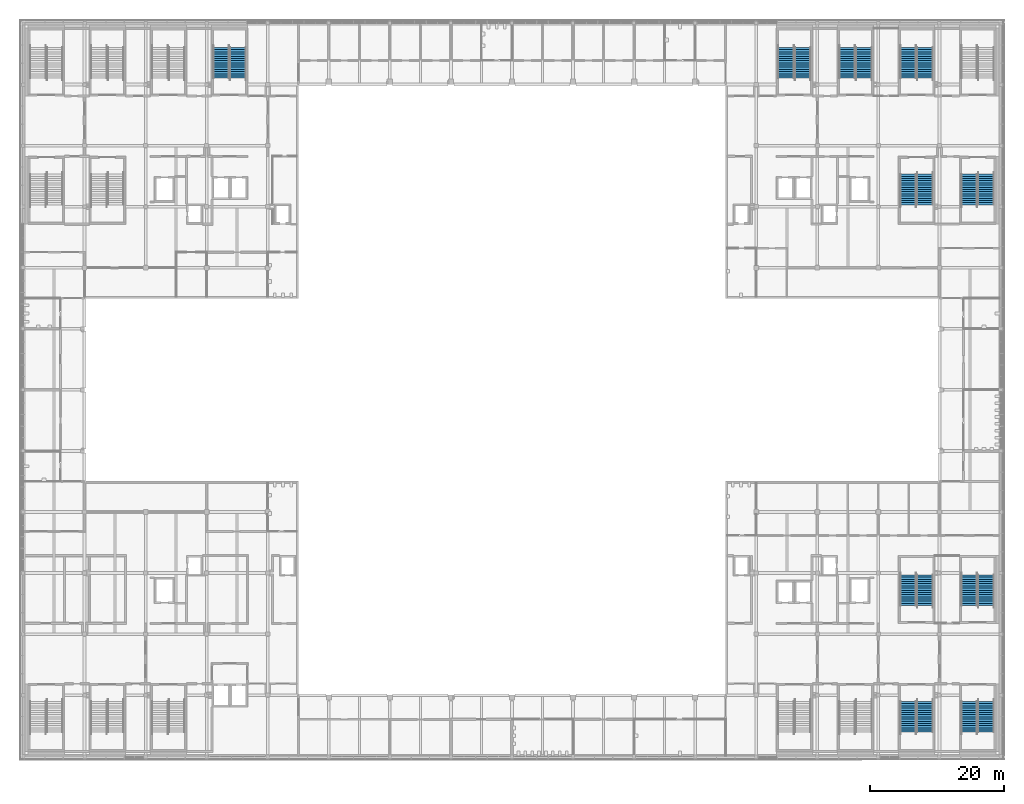
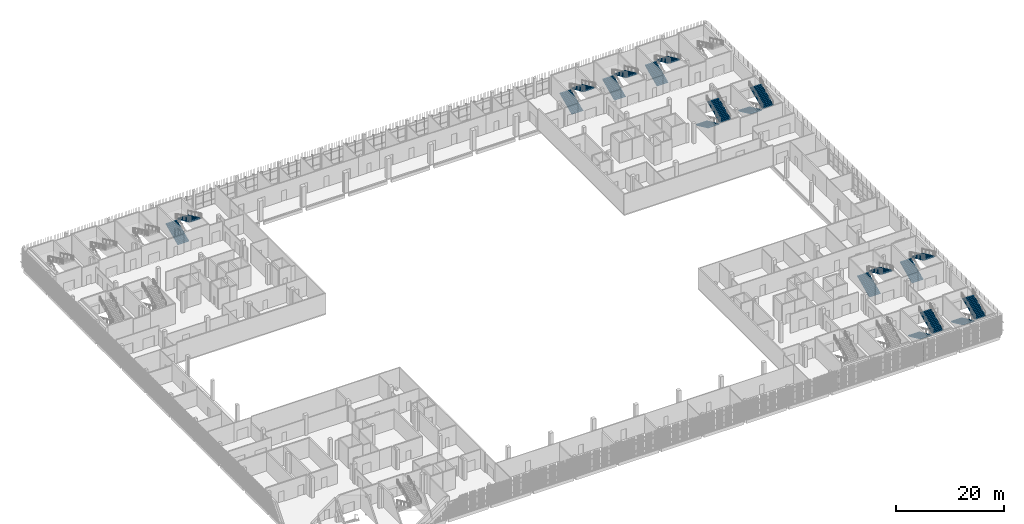
# One storey, part 84 of 124: 20 stair flights, 10 elements without a shape of their own.
"""IFC4 building model written with IfcOpenShell, lengths in metres."""

from ifc_helpers import new_model, si_unit, direction, frame, origin, place, context, subcontext, project, spatial, polyline, outline, extrude, material, type_object, element, aggregate, save


model = new_model("IFC4")

# Units and contexts
model_context = context("Model", 3, precision=1e-05, world=origin(), true_north=direction((0.0, 1.0)))
body_context = subcontext(model_context, "Body", "Model", "MODEL_VIEW")
ifc_project = project(units=[si_unit("LENGTHUNIT", "METRE"), si_unit("AREAUNIT", "SQUARE_METRE"), si_unit("VOLUMEUNIT", "CUBIC_METRE"), si_unit("PLANEANGLEUNIT", "RADIAN"), si_unit("MASSUNIT", "GRAM", prefix="KILO")], contexts=[model_context])

# Site, building, storey
site_placement = place(None, origin())
site = spatial("IfcSite", under=ifc_project, at=site_placement, CompositionType="ELEMENT")
building_placement = place(site_placement, origin())
building = spatial("IfcBuilding", under=site, at=building_placement, Name="Shirokan Park Arena", CompositionType="ELEMENT")
storey_placement = place(building_placement, frame((0.0, 0.0, 20.02001953125)))
storey = spatial("IfcBuildingStorey", under=building, at=storey_placement, Name="L04", CompositionType="ELEMENT", Elevation=20.02001953125)

# Stair, stair flights
ifc_material = material(Name="Concrete C30 precast", Category="concrete")
stair_type = type_object("IfcStairType", Name="Stair 30 risers 152 x 327 2400 wide", PredefinedType="TWO_STRAIGHT_RUN_STAIR", material=ifc_material)
stair_1_placement = place(storey_placement, origin())
stair_1 = element("IfcStair", 1, at=stair_1_placement, inside=storey, type_object=stair_type, Name="Exit Stair 2.A L04 to L05", PredefinedType="TWO_STRAIGHT_RUN_STAIR")
stair_flight_type = type_object("IfcStairFlightType", Name="Stair flight 15 risers 152 x 327 2400 wide", PredefinedType="STRAIGHT", material=ifc_material)
stair_flight_1_placement = place(storey_placement, frame((140.949951171875, 8.14990234375, 0.0), z_axis=(0.0, 0.0, 1.0), x_axis=(0.0, -1.0, 0.0)))
stair_flight_1 = element("IfcStairFlight", 2, at=stair_flight_1_placement, type_object=stair_flight_type, Name="ST04.5 flight 1", NumberOfRisers=15, NumberOfTreads=14, PredefinedType="STRAIGHT", RiserHeight=0.151666667, TreadLength=0.3267, context=body_context, shape_type="SweptSolid", body=[
    extrude(outline(polyline([(0.0, 0.0), (0.0, 0.151611328125), (0.32666015625, 0.151611328125), (0.32666015625, 0.30322265625), (0.6533203125, 0.30322265625), (0.6533203125, 0.455078125), (0.97998046875, 0.455078125), (0.97998046875, 0.606689453125), (1.306884765625, 0.606689453125), (1.306884765625, 0.75830078125), (1.633544921875, 0.75830078125), (1.633544921875, 0.909912109375), (1.960205078125, 0.909912109375), (1.960205078125, 1.061767578125), (2.286865234375, 1.061767578125), (2.286865234375, 1.21337890625), (2.613525390625, 1.21337890625), (2.613525390625, 1.364990234375), (2.940185546875, 1.364990234375), (2.940185546875, 1.5166015625), (3.26708984375, 1.5166015625), (3.26708984375, 1.668212890625), (3.59375, 1.668212890625), (3.59375, 1.820068359375), (3.92041015625, 1.820068359375), (3.92041015625, 1.9716796875), (4.2470703125, 1.9716796875), (4.2470703125, 2.123291015625), (4.57373046875, 2.123291015625), (4.57373046875, 2.27490234375), (4.57373046875, 1.9580078125), (0.35595703125, 0.0), (0.0, 0.0)])), frame((0.0, 1.199951171875, 0.0), z_axis=(0.0, -1.0, 0.0), x_axis=(1.0, 0.0, 0.0)), (0.0, 0.0, 1.0), 2.39990234375),
])
stair_flight_2_placement = place(storey_placement, frame((143.449951171875, 3.576171875, 2.27490234375), z_axis=(0.0, 0.0, 1.0), x_axis=(0.0, 1.0, 0.0)))
stair_flight_2 = element("IfcStairFlight", 3, at=stair_flight_2_placement, type_object=stair_flight_type, Name="ST04.5 flight 2", NumberOfRisers=15, NumberOfTreads=14, PredefinedType="STRAIGHT", RiserHeight=0.151666667, TreadLength=0.3267, context=body_context, shape_type="SweptSolid", body=[
    extrude(outline(polyline([(0.0, 0.0), (0.0, 0.151611328125), (0.32666015625, 0.151611328125), (0.32666015625, 0.30322265625), (0.6533203125, 0.30322265625), (0.6533203125, 0.455078125), (0.97998046875, 0.455078125), (0.97998046875, 0.606689453125), (1.306884765625, 0.606689453125), (1.306884765625, 0.75830078125), (1.633544921875, 0.75830078125), (1.633544921875, 0.909912109375), (1.960205078125, 0.909912109375), (1.960205078125, 1.061767578125), (2.286865234375, 1.061767578125), (2.286865234375, 1.21337890625), (2.613525390625, 1.21337890625), (2.613525390625, 1.364990234375), (2.940185546875, 1.364990234375), (2.940185546875, 1.5166015625), (3.26708984375, 1.5166015625), (3.26708984375, 1.668212890625), (3.59375, 1.668212890625), (3.59375, 1.820068359375), (3.92041015625, 1.820068359375), (3.92041015625, 1.9716796875), (4.2470703125, 1.9716796875), (4.2470703125, 2.123291015625), (4.57373046875, 2.123291015625), (4.57373046875, 2.27490234375), (4.57373046875, 1.9580078125), (0.35595703125, 0.0), (0.0, 0.0)])), frame((0.0, 1.199951171875, 0.0), z_axis=(0.0, -1.0, 0.0), x_axis=(1.0, 0.0, 0.0)), (0.0, 0.0, 1.0), 2.39990234375),
])
aggregate(stair_1, [stair_flight_1, stair_flight_2])

stair_2_placement = place(storey_placement, origin())
stair_2 = element("IfcStair", 4, at=stair_2_placement, inside=storey, type_object=stair_type, Name="Exit Stair 2.B L04 to L05", PredefinedType="TWO_STRAIGHT_RUN_STAIR")
stair_flight_3_placement = place(storey_placement, frame((131.85009765625, 8.14990234375, 0.0), z_axis=(0.0, 0.0, 1.0), x_axis=(0.0, -1.0, 0.0)))
stair_flight_3 = element("IfcStairFlight", 5, at=stair_flight_3_placement, type_object=stair_flight_type, Name="ST05.5 flight 1", NumberOfRisers=15, NumberOfTreads=14, PredefinedType="STRAIGHT", RiserHeight=0.151666667, TreadLength=0.3267, context=body_context, shape_type="SweptSolid", body=[
    extrude(outline(polyline([(0.0, 0.0), (0.0, 0.151611328125), (0.32666015625, 0.151611328125), (0.32666015625, 0.30322265625), (0.6533203125, 0.30322265625), (0.6533203125, 0.455078125), (0.97998046875, 0.455078125), (0.97998046875, 0.606689453125), (1.306884765625, 0.606689453125), (1.306884765625, 0.75830078125), (1.633544921875, 0.75830078125), (1.633544921875, 0.909912109375), (1.960205078125, 0.909912109375), (1.960205078125, 1.061767578125), (2.286865234375, 1.061767578125), (2.286865234375, 1.21337890625), (2.613525390625, 1.21337890625), (2.613525390625, 1.364990234375), (2.940185546875, 1.364990234375), (2.940185546875, 1.5166015625), (3.26708984375, 1.5166015625), (3.26708984375, 1.668212890625), (3.59375, 1.668212890625), (3.59375, 1.820068359375), (3.92041015625, 1.820068359375), (3.92041015625, 1.9716796875), (4.2470703125, 1.9716796875), (4.2470703125, 2.123291015625), (4.57373046875, 2.123291015625), (4.57373046875, 2.27490234375), (4.57373046875, 1.9580078125), (0.35595703125, 0.0), (0.0, 0.0)])), frame((0.0, 1.199951171875, 0.0), z_axis=(0.0, -1.0, 0.0), x_axis=(1.0, 0.0, 0.0)), (0.0, 0.0, 1.0), 2.39990234375),
])
stair_flight_4_placement = place(storey_placement, frame((134.35009765625, 3.576171875, 2.27490234375), z_axis=(0.0, 0.0, 1.0), x_axis=(0.0, 1.0, 0.0)))
stair_flight_4 = element("IfcStairFlight", 6, at=stair_flight_4_placement, type_object=stair_flight_type, Name="ST05.5 flight 2", NumberOfRisers=15, NumberOfTreads=14, PredefinedType="STRAIGHT", RiserHeight=0.151666667, TreadLength=0.3267, context=body_context, shape_type="SweptSolid", body=[
    extrude(outline(polyline([(0.0, 0.0), (0.0, 0.151611328125), (0.32666015625, 0.151611328125), (0.32666015625, 0.30322265625), (0.6533203125, 0.30322265625), (0.6533203125, 0.455078125), (0.97998046875, 0.455078125), (0.97998046875, 0.606689453125), (1.306884765625, 0.606689453125), (1.306884765625, 0.75830078125), (1.633544921875, 0.75830078125), (1.633544921875, 0.909912109375), (1.960205078125, 0.909912109375), (1.960205078125, 1.061767578125), (2.286865234375, 1.061767578125), (2.286865234375, 1.21337890625), (2.613525390625, 1.21337890625), (2.613525390625, 1.364990234375), (2.940185546875, 1.364990234375), (2.940185546875, 1.5166015625), (3.26708984375, 1.5166015625), (3.26708984375, 1.668212890625), (3.59375, 1.668212890625), (3.59375, 1.820068359375), (3.92041015625, 1.820068359375), (3.92041015625, 1.9716796875), (4.2470703125, 1.9716796875), (4.2470703125, 2.123291015625), (4.57373046875, 2.123291015625), (4.57373046875, 2.27490234375), (4.57373046875, 1.9580078125), (0.35595703125, 0.0), (0.0, 0.0)])), frame((0.0, 1.199951171875, 0.0), z_axis=(0.0, -1.0, 0.0), x_axis=(1.0, 0.0, 0.0)), (0.0, 0.0, 1.0), 2.39990234375),
])
aggregate(stair_2, [stair_flight_3, stair_flight_4])

stair_3_placement = place(storey_placement, origin())
stair_3 = element("IfcStair", 7, at=stair_3_placement, inside=storey, type_object=stair_type, Name="Exit Stair 2.E L04 to L05", PredefinedType="TWO_STRAIGHT_RUN_STAIR")
stair_flight_5_placement = place(storey_placement, frame((140.949951171875, 22.449951171875, 0.0), z_axis=(0.0, 0.0, 1.0), x_axis=(0.0, 1.0, 0.0)))
stair_flight_5 = element("IfcStairFlight", 8, at=stair_flight_5_placement, type_object=stair_flight_type, Name="ST08.5 flight 1", NumberOfRisers=15, NumberOfTreads=14, PredefinedType="STRAIGHT", RiserHeight=0.151666667, TreadLength=0.3267, context=body_context, shape_type="SweptSolid", body=[
    extrude(outline(polyline([(0.0, 0.0), (0.0, 0.151611328125), (0.32666015625, 0.151611328125), (0.32666015625, 0.30322265625), (0.6533203125, 0.30322265625), (0.6533203125, 0.455078125), (0.97998046875, 0.455078125), (0.97998046875, 0.606689453125), (1.306884765625, 0.606689453125), (1.306884765625, 0.75830078125), (1.633544921875, 0.75830078125), (1.633544921875, 0.909912109375), (1.960205078125, 0.909912109375), (1.960205078125, 1.061767578125), (2.286865234375, 1.061767578125), (2.286865234375, 1.21337890625), (2.613525390625, 1.21337890625), (2.613525390625, 1.364990234375), (2.940185546875, 1.364990234375), (2.940185546875, 1.5166015625), (3.26708984375, 1.5166015625), (3.26708984375, 1.668212890625), (3.59375, 1.668212890625), (3.59375, 1.820068359375), (3.92041015625, 1.820068359375), (3.92041015625, 1.9716796875), (4.2470703125, 1.9716796875), (4.2470703125, 2.123291015625), (4.57373046875, 2.123291015625), (4.57373046875, 2.27490234375), (4.57373046875, 1.9580078125), (0.35595703125, 0.0), (0.0, 0.0)])), frame((0.0, 1.199951171875, 0.0), z_axis=(0.0, -1.0, 0.0), x_axis=(1.0, 0.0, 0.0)), (0.0, 0.0, 1.0), 2.39990234375),
])
stair_flight_6_placement = place(storey_placement, frame((143.449951171875, 27.023681640625, 2.27490234375), z_axis=(0.0, 0.0, 1.0), x_axis=(0.0, -1.0, 0.0)))
stair_flight_6 = element("IfcStairFlight", 9, at=stair_flight_6_placement, type_object=stair_flight_type, Name="ST08.5 flight 2", NumberOfRisers=15, NumberOfTreads=14, PredefinedType="STRAIGHT", RiserHeight=0.151666667, TreadLength=0.3267, context=body_context, shape_type="SweptSolid", body=[
    extrude(outline(polyline([(0.0, 0.0), (0.0, 0.151611328125), (0.32666015625, 0.151611328125), (0.32666015625, 0.30322265625), (0.6533203125, 0.30322265625), (0.6533203125, 0.455078125), (0.97998046875, 0.455078125), (0.97998046875, 0.606689453125), (1.306884765625, 0.606689453125), (1.306884765625, 0.75830078125), (1.633544921875, 0.75830078125), (1.633544921875, 0.909912109375), (1.960205078125, 0.909912109375), (1.960205078125, 1.061767578125), (2.286865234375, 1.061767578125), (2.286865234375, 1.21337890625), (2.613525390625, 1.21337890625), (2.613525390625, 1.364990234375), (2.940185546875, 1.364990234375), (2.940185546875, 1.5166015625), (3.26708984375, 1.5166015625), (3.26708984375, 1.668212890625), (3.59375, 1.668212890625), (3.59375, 1.820068359375), (3.92041015625, 1.820068359375), (3.92041015625, 1.9716796875), (4.2470703125, 1.9716796875), (4.2470703125, 2.123291015625), (4.57373046875, 2.123291015625), (4.57373046875, 2.27490234375), (4.57373046875, 1.9580078125), (0.35595703125, 0.0), (0.0, 0.0)])), frame((0.0, 1.199951171875, 0.0), z_axis=(0.0, -1.0, 0.0), x_axis=(1.0, 0.0, 0.0)), (0.0, 0.0, 1.0), 2.39990234375),
])
aggregate(stair_3, [stair_flight_5, stair_flight_6])

stair_4_placement = place(storey_placement, origin())
stair_4 = element("IfcStair", 10, at=stair_4_placement, inside=storey, type_object=stair_type, Name="Exit Stair 2.F L04 to L05", PredefinedType="TWO_STRAIGHT_RUN_STAIR")
stair_flight_7_placement = place(storey_placement, frame((131.85009765625, 22.449951171875, 0.0), z_axis=(0.0, 0.0, 1.0), x_axis=(0.0, 1.0, 0.0)))
stair_flight_7 = element("IfcStairFlight", 11, at=stair_flight_7_placement, type_object=stair_flight_type, Name="ST09.5 flight 1", NumberOfRisers=15, NumberOfTreads=14, PredefinedType="STRAIGHT", RiserHeight=0.151666667, TreadLength=0.3267, context=body_context, shape_type="SweptSolid", body=[
    extrude(outline(polyline([(0.0, 0.0), (0.0, 0.151611328125), (0.32666015625, 0.151611328125), (0.32666015625, 0.30322265625), (0.6533203125, 0.30322265625), (0.6533203125, 0.455078125), (0.97998046875, 0.455078125), (0.97998046875, 0.606689453125), (1.306884765625, 0.606689453125), (1.306884765625, 0.75830078125), (1.633544921875, 0.75830078125), (1.633544921875, 0.909912109375), (1.960205078125, 0.909912109375), (1.960205078125, 1.061767578125), (2.286865234375, 1.061767578125), (2.286865234375, 1.21337890625), (2.613525390625, 1.21337890625), (2.613525390625, 1.364990234375), (2.940185546875, 1.364990234375), (2.940185546875, 1.5166015625), (3.26708984375, 1.5166015625), (3.26708984375, 1.668212890625), (3.59375, 1.668212890625), (3.59375, 1.820068359375), (3.92041015625, 1.820068359375), (3.92041015625, 1.9716796875), (4.2470703125, 1.9716796875), (4.2470703125, 2.123291015625), (4.57373046875, 2.123291015625), (4.57373046875, 2.27490234375), (4.57373046875, 1.9580078125), (0.35595703125, 0.0), (0.0, 0.0)])), frame((0.0, 1.199951171875, 0.0), z_axis=(0.0, -1.0, 0.0), x_axis=(1.0, 0.0, 0.0)), (0.0, 0.0, 1.0), 2.39990234375),
])
stair_flight_8_placement = place(storey_placement, frame((134.35009765625, 27.023681640625, 2.27490234375), z_axis=(0.0, 0.0, 1.0), x_axis=(0.0, -1.0, 0.0)))
stair_flight_8 = element("IfcStairFlight", 12, at=stair_flight_8_placement, type_object=stair_flight_type, Name="ST09.5 flight 2", NumberOfRisers=15, NumberOfTreads=14, PredefinedType="STRAIGHT", RiserHeight=0.151666667, TreadLength=0.3267, context=body_context, shape_type="SweptSolid", body=[
    extrude(outline(polyline([(0.0, 0.0), (0.0, 0.151611328125), (0.32666015625, 0.151611328125), (0.32666015625, 0.30322265625), (0.6533203125, 0.30322265625), (0.6533203125, 0.455078125), (0.97998046875, 0.455078125), (0.97998046875, 0.606689453125), (1.306884765625, 0.606689453125), (1.306884765625, 0.75830078125), (1.633544921875, 0.75830078125), (1.633544921875, 0.909912109375), (1.960205078125, 0.909912109375), (1.960205078125, 1.061767578125), (2.286865234375, 1.061767578125), (2.286865234375, 1.21337890625), (2.613525390625, 1.21337890625), (2.613525390625, 1.364990234375), (2.940185546875, 1.364990234375), (2.940185546875, 1.5166015625), (3.26708984375, 1.5166015625), (3.26708984375, 1.668212890625), (3.59375, 1.668212890625), (3.59375, 1.820068359375), (3.92041015625, 1.820068359375), (3.92041015625, 1.9716796875), (4.2470703125, 1.9716796875), (4.2470703125, 2.123291015625), (4.57373046875, 2.123291015625), (4.57373046875, 2.27490234375), (4.57373046875, 1.9580078125), (0.35595703125, 0.0), (0.0, 0.0)])), frame((0.0, 1.199951171875, 0.0), z_axis=(0.0, -1.0, 0.0), x_axis=(1.0, 0.0, 0.0)), (0.0, 0.0, 1.0), 2.39990234375),
])
aggregate(stair_4, [stair_flight_7, stair_flight_8])

stair_5_placement = place(storey_placement, origin())
stair_5 = element("IfcStair", 13, at=stair_5_placement, inside=storey, type_object=stair_type, Name="Exit Stair 4.D L04 to L05", PredefinedType="TWO_STRAIGHT_RUN_STAIR")
stair_flight_9_placement = place(storey_placement, frame((29.449951171875, 101.050048828125, 0.0), z_axis=(0.0, 0.0, 1.0), x_axis=(0.0, 1.0, 0.0)))
stair_flight_9 = element("IfcStairFlight", 14, at=stair_flight_9_placement, type_object=stair_flight_type, Name="ST13.5 flight 1", NumberOfRisers=15, NumberOfTreads=14, PredefinedType="STRAIGHT", RiserHeight=0.151666667, TreadLength=0.3267, context=body_context, shape_type="SweptSolid", body=[
    extrude(outline(polyline([(0.0, 0.0), (0.0, 0.151611328125), (0.32666015625, 0.151611328125), (0.32666015625, 0.30322265625), (0.6533203125, 0.30322265625), (0.6533203125, 0.455078125), (0.97998046875, 0.455078125), (0.97998046875, 0.606689453125), (1.306884765625, 0.606689453125), (1.306884765625, 0.75830078125), (1.633544921875, 0.75830078125), (1.633544921875, 0.909912109375), (1.960205078125, 0.909912109375), (1.960205078125, 1.061767578125), (2.286865234375, 1.061767578125), (2.286865234375, 1.21337890625), (2.613525390625, 1.21337890625), (2.613525390625, 1.364990234375), (2.940185546875, 1.364990234375), (2.940185546875, 1.5166015625), (3.26708984375, 1.5166015625), (3.26708984375, 1.668212890625), (3.59375, 1.668212890625), (3.59375, 1.820068359375), (3.92041015625, 1.820068359375), (3.92041015625, 1.9716796875), (4.2470703125, 1.9716796875), (4.2470703125, 2.123291015625), (4.57373046875, 2.123291015625), (4.57373046875, 2.27490234375), (4.57373046875, 1.9580078125), (0.35595703125, 0.0), (0.0, 0.0)])), frame((0.0, 1.199951171875, 0.0), z_axis=(0.0, -1.0, 0.0), x_axis=(1.0, 0.0, 0.0)), (0.0, 0.0, 1.0), 2.39990234375),
])
stair_flight_10_placement = place(storey_placement, frame((31.949951171875, 105.623779296875, 2.27490234375), z_axis=(0.0, 0.0, 1.0), x_axis=(0.0, -1.0, 0.0)))
stair_flight_10 = element("IfcStairFlight", 15, at=stair_flight_10_placement, type_object=stair_flight_type, Name="ST13.5 flight 2", NumberOfRisers=15, NumberOfTreads=14, PredefinedType="STRAIGHT", RiserHeight=0.151666667, TreadLength=0.3267, context=body_context, shape_type="SweptSolid", body=[
    extrude(outline(polyline([(0.0, 0.0), (0.0, 0.151611328125), (0.32666015625, 0.151611328125), (0.32666015625, 0.30322265625), (0.6533203125, 0.30322265625), (0.6533203125, 0.455078125), (0.97998046875, 0.455078125), (0.97998046875, 0.606689453125), (1.306884765625, 0.606689453125), (1.306884765625, 0.75830078125), (1.633544921875, 0.75830078125), (1.633544921875, 0.909912109375), (1.960205078125, 0.909912109375), (1.960205078125, 1.061767578125), (2.286865234375, 1.061767578125), (2.286865234375, 1.21337890625), (2.613525390625, 1.21337890625), (2.613525390625, 1.364990234375), (2.940185546875, 1.364990234375), (2.940185546875, 1.5166015625), (3.26708984375, 1.5166015625), (3.26708984375, 1.668212890625), (3.59375, 1.668212890625), (3.59375, 1.820068359375), (3.92041015625, 1.820068359375), (3.92041015625, 1.9716796875), (4.2470703125, 1.9716796875), (4.2470703125, 2.123291015625), (4.57373046875, 2.123291015625), (4.57373046875, 2.27490234375), (4.57373046875, 1.9580078125), (0.35595703125, 0.0), (0.0, 0.0)])), frame((0.0, 1.199951171875, 0.0), z_axis=(0.0, -1.0, 0.0), x_axis=(1.0, 0.0, 0.0)), (0.0, 0.0, 1.0), 2.39990234375),
])
aggregate(stair_5, [stair_flight_9, stair_flight_10])

stair_6_placement = place(storey_placement, origin())
stair_6 = element("IfcStair", 16, at=stair_6_placement, inside=storey, type_object=stair_type, Name="Exit Stair 3.B L04 to L05", PredefinedType="TWO_STRAIGHT_RUN_STAIR")
stair_flight_11_placement = place(storey_placement, frame((131.85009765625, 101.050048828125, 0.0), z_axis=(0.0, 0.0, 1.0), x_axis=(0.0, 1.0, 0.0)))
stair_flight_11 = element("IfcStairFlight", 17, at=stair_flight_11_placement, type_object=stair_flight_type, Name="ST17.5 flight 1", NumberOfRisers=15, NumberOfTreads=14, PredefinedType="STRAIGHT", RiserHeight=0.151666667, TreadLength=0.3267, context=body_context, shape_type="SweptSolid", body=[
    extrude(outline(polyline([(0.0, 0.0), (0.0, 0.151611328125), (0.32666015625, 0.151611328125), (0.32666015625, 0.30322265625), (0.6533203125, 0.30322265625), (0.6533203125, 0.455078125), (0.97998046875, 0.455078125), (0.97998046875, 0.606689453125), (1.306884765625, 0.606689453125), (1.306884765625, 0.75830078125), (1.633544921875, 0.75830078125), (1.633544921875, 0.909912109375), (1.960205078125, 0.909912109375), (1.960205078125, 1.061767578125), (2.286865234375, 1.061767578125), (2.286865234375, 1.21337890625), (2.613525390625, 1.21337890625), (2.613525390625, 1.364990234375), (2.940185546875, 1.364990234375), (2.940185546875, 1.5166015625), (3.26708984375, 1.5166015625), (3.26708984375, 1.668212890625), (3.59375, 1.668212890625), (3.59375, 1.820068359375), (3.92041015625, 1.820068359375), (3.92041015625, 1.9716796875), (4.2470703125, 1.9716796875), (4.2470703125, 2.123291015625), (4.57373046875, 2.123291015625), (4.57373046875, 2.27490234375), (4.57373046875, 1.9580078125), (0.35595703125, 0.0), (0.0, 0.0)])), frame((0.0, 1.199951171875, 0.0), z_axis=(0.0, -1.0, 0.0), x_axis=(1.0, 0.0, 0.0)), (0.0, 0.0, 1.0), 2.39990234375),
])
stair_flight_12_placement = place(storey_placement, frame((134.35009765625, 105.623779296875, 2.27490234375), z_axis=(0.0, 0.0, 1.0), x_axis=(0.0, -1.0, 0.0)))
stair_flight_12 = element("IfcStairFlight", 18, at=stair_flight_12_placement, type_object=stair_flight_type, Name="ST17.5 flight 2", NumberOfRisers=15, NumberOfTreads=14, PredefinedType="STRAIGHT", RiserHeight=0.151666667, TreadLength=0.3267, context=body_context, shape_type="SweptSolid", body=[
    extrude(outline(polyline([(0.0, 0.0), (0.0, 0.151611328125), (0.32666015625, 0.151611328125), (0.32666015625, 0.30322265625), (0.6533203125, 0.30322265625), (0.6533203125, 0.455078125), (0.97998046875, 0.455078125), (0.97998046875, 0.606689453125), (1.306884765625, 0.606689453125), (1.306884765625, 0.75830078125), (1.633544921875, 0.75830078125), (1.633544921875, 0.909912109375), (1.960205078125, 0.909912109375), (1.960205078125, 1.061767578125), (2.286865234375, 1.061767578125), (2.286865234375, 1.21337890625), (2.613525390625, 1.21337890625), (2.613525390625, 1.364990234375), (2.940185546875, 1.364990234375), (2.940185546875, 1.5166015625), (3.26708984375, 1.5166015625), (3.26708984375, 1.668212890625), (3.59375, 1.668212890625), (3.59375, 1.820068359375), (3.92041015625, 1.820068359375), (3.92041015625, 1.9716796875), (4.2470703125, 1.9716796875), (4.2470703125, 2.123291015625), (4.57373046875, 2.123291015625), (4.57373046875, 2.27490234375), (4.57373046875, 1.9580078125), (0.35595703125, 0.0), (0.0, 0.0)])), frame((0.0, 1.199951171875, 0.0), z_axis=(0.0, -1.0, 0.0), x_axis=(1.0, 0.0, 0.0)), (0.0, 0.0, 1.0), 2.39990234375),
])
aggregate(stair_6, [stair_flight_11, stair_flight_12])

stair_7_placement = place(storey_placement, origin())
stair_7 = element("IfcStair", 19, at=stair_7_placement, inside=storey, type_object=stair_type, Name="Exit Stair 3.C L04 to L05", PredefinedType="TWO_STRAIGHT_RUN_STAIR")
stair_flight_13_placement = place(storey_placement, frame((122.75, 101.050048828125, 0.0), z_axis=(0.0, 0.0, 1.0), x_axis=(0.0, 1.0, 0.0)))
stair_flight_13 = element("IfcStairFlight", 20, at=stair_flight_13_placement, type_object=stair_flight_type, Name="ST18.5 flight 1", NumberOfRisers=15, NumberOfTreads=14, PredefinedType="STRAIGHT", RiserHeight=0.151666667, TreadLength=0.3267, context=body_context, shape_type="SweptSolid", body=[
    extrude(outline(polyline([(0.0, 0.0), (0.0, 0.151611328125), (0.32666015625, 0.151611328125), (0.32666015625, 0.30322265625), (0.6533203125, 0.30322265625), (0.6533203125, 0.455078125), (0.97998046875, 0.455078125), (0.97998046875, 0.606689453125), (1.306884765625, 0.606689453125), (1.306884765625, 0.75830078125), (1.633544921875, 0.75830078125), (1.633544921875, 0.909912109375), (1.960205078125, 0.909912109375), (1.960205078125, 1.061767578125), (2.286865234375, 1.061767578125), (2.286865234375, 1.21337890625), (2.613525390625, 1.21337890625), (2.613525390625, 1.364990234375), (2.940185546875, 1.364990234375), (2.940185546875, 1.5166015625), (3.26708984375, 1.5166015625), (3.26708984375, 1.668212890625), (3.59375, 1.668212890625), (3.59375, 1.820068359375), (3.92041015625, 1.820068359375), (3.92041015625, 1.9716796875), (4.2470703125, 1.9716796875), (4.2470703125, 2.123291015625), (4.57373046875, 2.123291015625), (4.57373046875, 2.27490234375), (4.57373046875, 1.9580078125), (0.35595703125, 0.0), (0.0, 0.0)])), frame((0.0, 1.199951171875, 0.0), z_axis=(0.0, -1.0, 0.0), x_axis=(1.0, 0.0, 0.0)), (0.0, 0.0, 1.0), 2.39990234375),
])
stair_flight_14_placement = place(storey_placement, frame((125.25, 105.623779296875, 2.27490234375), z_axis=(0.0, 0.0, 1.0), x_axis=(0.0, -1.0, 0.0)))
stair_flight_14 = element("IfcStairFlight", 21, at=stair_flight_14_placement, type_object=stair_flight_type, Name="ST18.5 flight 2", NumberOfRisers=15, NumberOfTreads=14, PredefinedType="STRAIGHT", RiserHeight=0.151666667, TreadLength=0.3267, context=body_context, shape_type="SweptSolid", body=[
    extrude(outline(polyline([(0.0, 0.0), (0.0, 0.151611328125), (0.32666015625, 0.151611328125), (0.32666015625, 0.30322265625), (0.6533203125, 0.30322265625), (0.6533203125, 0.455078125), (0.97998046875, 0.455078125), (0.97998046875, 0.606689453125), (1.306884765625, 0.606689453125), (1.306884765625, 0.75830078125), (1.633544921875, 0.75830078125), (1.633544921875, 0.909912109375), (1.960205078125, 0.909912109375), (1.960205078125, 1.061767578125), (2.286865234375, 1.061767578125), (2.286865234375, 1.21337890625), (2.613525390625, 1.21337890625), (2.613525390625, 1.364990234375), (2.940185546875, 1.364990234375), (2.940185546875, 1.5166015625), (3.26708984375, 1.5166015625), (3.26708984375, 1.668212890625), (3.59375, 1.668212890625), (3.59375, 1.820068359375), (3.92041015625, 1.820068359375), (3.92041015625, 1.9716796875), (4.2470703125, 1.9716796875), (4.2470703125, 2.123291015625), (4.57373046875, 2.123291015625), (4.57373046875, 2.27490234375), (4.57373046875, 1.9580078125), (0.35595703125, 0.0), (0.0, 0.0)])), frame((0.0, 1.199951171875, 0.0), z_axis=(0.0, -1.0, 0.0), x_axis=(1.0, 0.0, 0.0)), (0.0, 0.0, 1.0), 2.39990234375),
])
aggregate(stair_7, [stair_flight_13, stair_flight_14])

stair_8_placement = place(storey_placement, origin())
stair_8 = element("IfcStair", 22, at=stair_8_placement, inside=storey, type_object=stair_type, Name="Exit Stair 3.D L04 to L05", PredefinedType="TWO_STRAIGHT_RUN_STAIR")
stair_flight_15_placement = place(storey_placement, frame((113.64990234375, 101.050048828125, 0.0), z_axis=(0.0, 0.0, 1.0), x_axis=(0.0, 1.0, 0.0)))
stair_flight_15 = element("IfcStairFlight", 23, at=stair_flight_15_placement, type_object=stair_flight_type, Name="ST19.5 flight 1", NumberOfRisers=15, NumberOfTreads=14, PredefinedType="STRAIGHT", RiserHeight=0.151666667, TreadLength=0.3267, context=body_context, shape_type="SweptSolid", body=[
    extrude(outline(polyline([(0.0, 0.0), (0.0, 0.151611328125), (0.32666015625, 0.151611328125), (0.32666015625, 0.30322265625), (0.6533203125, 0.30322265625), (0.6533203125, 0.455078125), (0.97998046875, 0.455078125), (0.97998046875, 0.606689453125), (1.306884765625, 0.606689453125), (1.306884765625, 0.75830078125), (1.633544921875, 0.75830078125), (1.633544921875, 0.909912109375), (1.960205078125, 0.909912109375), (1.960205078125, 1.061767578125), (2.286865234375, 1.061767578125), (2.286865234375, 1.21337890625), (2.613525390625, 1.21337890625), (2.613525390625, 1.364990234375), (2.940185546875, 1.364990234375), (2.940185546875, 1.5166015625), (3.26708984375, 1.5166015625), (3.26708984375, 1.668212890625), (3.59375, 1.668212890625), (3.59375, 1.820068359375), (3.92041015625, 1.820068359375), (3.92041015625, 1.9716796875), (4.2470703125, 1.9716796875), (4.2470703125, 2.123291015625), (4.57373046875, 2.123291015625), (4.57373046875, 2.27490234375), (4.57373046875, 1.9580078125), (0.35595703125, 0.0), (0.0, 0.0)])), frame((0.0, 1.199951171875, 0.0), z_axis=(0.0, -1.0, 0.0), x_axis=(1.0, 0.0, 0.0)), (0.0, 0.0, 1.0), 2.39990234375),
])
stair_flight_16_placement = place(storey_placement, frame((116.14990234375, 105.623779296875, 2.27490234375), z_axis=(0.0, 0.0, 1.0), x_axis=(0.0, -1.0, 0.0)))
stair_flight_16 = element("IfcStairFlight", 24, at=stair_flight_16_placement, type_object=stair_flight_type, Name="ST19.5 flight 2", NumberOfRisers=15, NumberOfTreads=14, PredefinedType="STRAIGHT", RiserHeight=0.151666667, TreadLength=0.3267, context=body_context, shape_type="SweptSolid", body=[
    extrude(outline(polyline([(0.0, 0.0), (0.0, 0.151611328125), (0.32666015625, 0.151611328125), (0.32666015625, 0.30322265625), (0.6533203125, 0.30322265625), (0.6533203125, 0.455078125), (0.97998046875, 0.455078125), (0.97998046875, 0.606689453125), (1.306884765625, 0.606689453125), (1.306884765625, 0.75830078125), (1.633544921875, 0.75830078125), (1.633544921875, 0.909912109375), (1.960205078125, 0.909912109375), (1.960205078125, 1.061767578125), (2.286865234375, 1.061767578125), (2.286865234375, 1.21337890625), (2.613525390625, 1.21337890625), (2.613525390625, 1.364990234375), (2.940185546875, 1.364990234375), (2.940185546875, 1.5166015625), (3.26708984375, 1.5166015625), (3.26708984375, 1.668212890625), (3.59375, 1.668212890625), (3.59375, 1.820068359375), (3.92041015625, 1.820068359375), (3.92041015625, 1.9716796875), (4.2470703125, 1.9716796875), (4.2470703125, 2.123291015625), (4.57373046875, 2.123291015625), (4.57373046875, 2.27490234375), (4.57373046875, 1.9580078125), (0.35595703125, 0.0), (0.0, 0.0)])), frame((0.0, 1.199951171875, 0.0), z_axis=(0.0, -1.0, 0.0), x_axis=(1.0, 0.0, 0.0)), (0.0, 0.0, 1.0), 2.39990234375),
])
aggregate(stair_8, [stair_flight_15, stair_flight_16])

stair_9_placement = place(storey_placement, origin())
stair_9 = element("IfcStair", 25, at=stair_9_placement, inside=storey, type_object=stair_type, Name="Exit Stair 3.E L04 to L05", PredefinedType="TWO_STRAIGHT_RUN_STAIR")
stair_flight_17_placement = place(storey_placement, frame((140.949951171875, 86.75, 0.0), z_axis=(0.0, 0.0, 1.0), x_axis=(0.0, -1.0, 0.0)))
stair_flight_17 = element("IfcStairFlight", 26, at=stair_flight_17_placement, type_object=stair_flight_type, Name="ST20.5 flight 1", NumberOfRisers=15, NumberOfTreads=14, PredefinedType="STRAIGHT", RiserHeight=0.151666667, TreadLength=0.3267, context=body_context, shape_type="SweptSolid", body=[
    extrude(outline(polyline([(0.0, 0.0), (0.0, 0.151611328125), (0.32666015625, 0.151611328125), (0.32666015625, 0.30322265625), (0.6533203125, 0.30322265625), (0.6533203125, 0.455078125), (0.97998046875, 0.455078125), (0.97998046875, 0.606689453125), (1.306884765625, 0.606689453125), (1.306884765625, 0.75830078125), (1.633544921875, 0.75830078125), (1.633544921875, 0.909912109375), (1.960205078125, 0.909912109375), (1.960205078125, 1.061767578125), (2.286865234375, 1.061767578125), (2.286865234375, 1.21337890625), (2.613525390625, 1.21337890625), (2.613525390625, 1.364990234375), (2.940185546875, 1.364990234375), (2.940185546875, 1.5166015625), (3.26708984375, 1.5166015625), (3.26708984375, 1.668212890625), (3.59375, 1.668212890625), (3.59375, 1.820068359375), (3.92041015625, 1.820068359375), (3.92041015625, 1.9716796875), (4.2470703125, 1.9716796875), (4.2470703125, 2.123291015625), (4.57373046875, 2.123291015625), (4.57373046875, 2.27490234375), (4.57373046875, 1.9580078125), (0.35595703125, 0.0), (0.0, 0.0)])), frame((0.0, 1.199951171875, 0.0), z_axis=(0.0, -1.0, 0.0), x_axis=(1.0, 0.0, 0.0)), (0.0, 0.0, 1.0), 2.39990234375),
])
stair_flight_18_placement = place(storey_placement, frame((143.449951171875, 82.17626953125, 2.27490234375), z_axis=(0.0, 0.0, 1.0), x_axis=(0.0, 1.0, 0.0)))
stair_flight_18 = element("IfcStairFlight", 27, at=stair_flight_18_placement, type_object=stair_flight_type, Name="ST20.5 flight 2", NumberOfRisers=15, NumberOfTreads=14, PredefinedType="STRAIGHT", RiserHeight=0.151666667, TreadLength=0.3267, context=body_context, shape_type="SweptSolid", body=[
    extrude(outline(polyline([(0.0, 0.0), (0.0, 0.151611328125), (0.32666015625, 0.151611328125), (0.32666015625, 0.30322265625), (0.6533203125, 0.30322265625), (0.6533203125, 0.455078125), (0.97998046875, 0.455078125), (0.97998046875, 0.606689453125), (1.306884765625, 0.606689453125), (1.306884765625, 0.75830078125), (1.633544921875, 0.75830078125), (1.633544921875, 0.909912109375), (1.960205078125, 0.909912109375), (1.960205078125, 1.061767578125), (2.286865234375, 1.061767578125), (2.286865234375, 1.21337890625), (2.613525390625, 1.21337890625), (2.613525390625, 1.364990234375), (2.940185546875, 1.364990234375), (2.940185546875, 1.5166015625), (3.26708984375, 1.5166015625), (3.26708984375, 1.668212890625), (3.59375, 1.668212890625), (3.59375, 1.820068359375), (3.92041015625, 1.820068359375), (3.92041015625, 1.9716796875), (4.2470703125, 1.9716796875), (4.2470703125, 2.123291015625), (4.57373046875, 2.123291015625), (4.57373046875, 2.27490234375), (4.57373046875, 1.9580078125), (0.35595703125, 0.0), (0.0, 0.0)])), frame((0.0, 1.199951171875, 0.0), z_axis=(0.0, -1.0, 0.0), x_axis=(1.0, 0.0, 0.0)), (0.0, 0.0, 1.0), 2.39990234375),
])
aggregate(stair_9, [stair_flight_17, stair_flight_18])

stair_10_placement = place(storey_placement, origin())
stair_10 = element("IfcStair", 28, at=stair_10_placement, inside=storey, type_object=stair_type, Name="Exit Stair 3.F L04 to L05", PredefinedType="TWO_STRAIGHT_RUN_STAIR")
stair_flight_19_placement = place(storey_placement, frame((131.85009765625, 86.75, 0.0), z_axis=(0.0, 0.0, 1.0), x_axis=(0.0, -1.0, 0.0)))
stair_flight_19 = element("IfcStairFlight", 29, at=stair_flight_19_placement, type_object=stair_flight_type, Name="ST21.5 flight 1", NumberOfRisers=15, NumberOfTreads=14, PredefinedType="STRAIGHT", RiserHeight=0.151666667, TreadLength=0.3267, context=body_context, shape_type="SweptSolid", body=[
    extrude(outline(polyline([(0.0, 0.0), (0.0, 0.151611328125), (0.32666015625, 0.151611328125), (0.32666015625, 0.30322265625), (0.6533203125, 0.30322265625), (0.6533203125, 0.455078125), (0.97998046875, 0.455078125), (0.97998046875, 0.606689453125), (1.306884765625, 0.606689453125), (1.306884765625, 0.75830078125), (1.633544921875, 0.75830078125), (1.633544921875, 0.909912109375), (1.960205078125, 0.909912109375), (1.960205078125, 1.061767578125), (2.286865234375, 1.061767578125), (2.286865234375, 1.21337890625), (2.613525390625, 1.21337890625), (2.613525390625, 1.364990234375), (2.940185546875, 1.364990234375), (2.940185546875, 1.5166015625), (3.26708984375, 1.5166015625), (3.26708984375, 1.668212890625), (3.59375, 1.668212890625), (3.59375, 1.820068359375), (3.92041015625, 1.820068359375), (3.92041015625, 1.9716796875), (4.2470703125, 1.9716796875), (4.2470703125, 2.123291015625), (4.57373046875, 2.123291015625), (4.57373046875, 2.27490234375), (4.57373046875, 1.9580078125), (0.35595703125, 0.0), (0.0, 0.0)])), frame((0.0, 1.199951171875, 0.0), z_axis=(0.0, -1.0, 0.0), x_axis=(1.0, 0.0, 0.0)), (0.0, 0.0, 1.0), 2.39990234375),
])
stair_flight_20_placement = place(storey_placement, frame((134.35009765625, 82.17626953125, 2.27490234375), z_axis=(0.0, 0.0, 1.0), x_axis=(0.0, 1.0, 0.0)))
stair_flight_20 = element("IfcStairFlight", 30, at=stair_flight_20_placement, type_object=stair_flight_type, Name="ST21.5 flight 2", NumberOfRisers=15, NumberOfTreads=14, PredefinedType="STRAIGHT", RiserHeight=0.151666667, TreadLength=0.3267, context=body_context, shape_type="SweptSolid", body=[
    extrude(outline(polyline([(0.0, 0.0), (0.0, 0.151611328125), (0.32666015625, 0.151611328125), (0.32666015625, 0.30322265625), (0.6533203125, 0.30322265625), (0.6533203125, 0.455078125), (0.97998046875, 0.455078125), (0.97998046875, 0.606689453125), (1.306884765625, 0.606689453125), (1.306884765625, 0.75830078125), (1.633544921875, 0.75830078125), (1.633544921875, 0.909912109375), (1.960205078125, 0.909912109375), (1.960205078125, 1.061767578125), (2.286865234375, 1.061767578125), (2.286865234375, 1.21337890625), (2.613525390625, 1.21337890625), (2.613525390625, 1.364990234375), (2.940185546875, 1.364990234375), (2.940185546875, 1.5166015625), (3.26708984375, 1.5166015625), (3.26708984375, 1.668212890625), (3.59375, 1.668212890625), (3.59375, 1.820068359375), (3.92041015625, 1.820068359375), (3.92041015625, 1.9716796875), (4.2470703125, 1.9716796875), (4.2470703125, 2.123291015625), (4.57373046875, 2.123291015625), (4.57373046875, 2.27490234375), (4.57373046875, 1.9580078125), (0.35595703125, 0.0), (0.0, 0.0)])), frame((0.0, 1.199951171875, 0.0), z_axis=(0.0, -1.0, 0.0), x_axis=(1.0, 0.0, 0.0)), (0.0, 0.0, 1.0), 2.39990234375),
])
aggregate(stair_10, [stair_flight_19, stair_flight_20])

save(model, "model.ifc")
